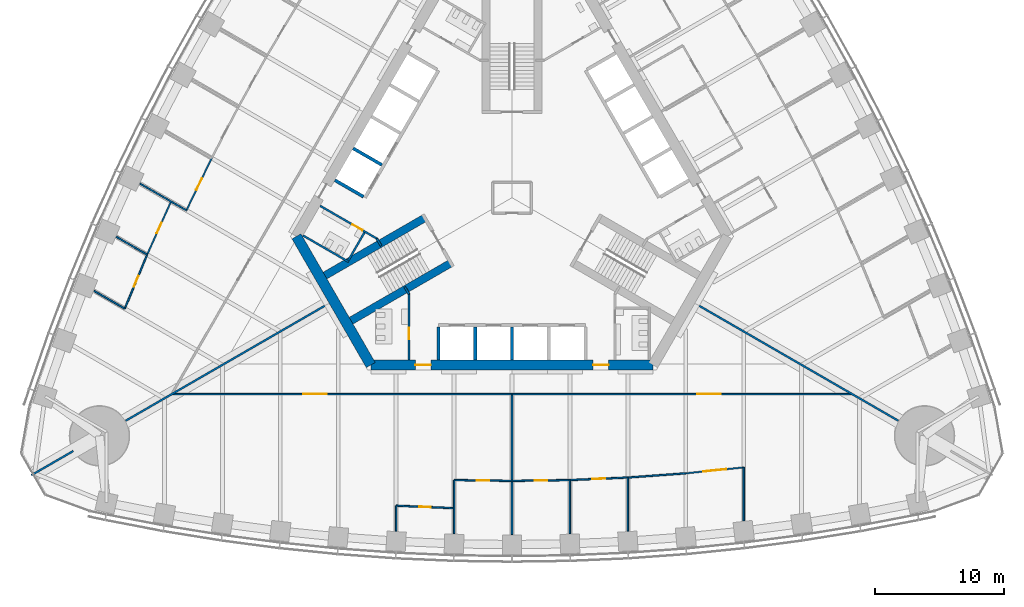
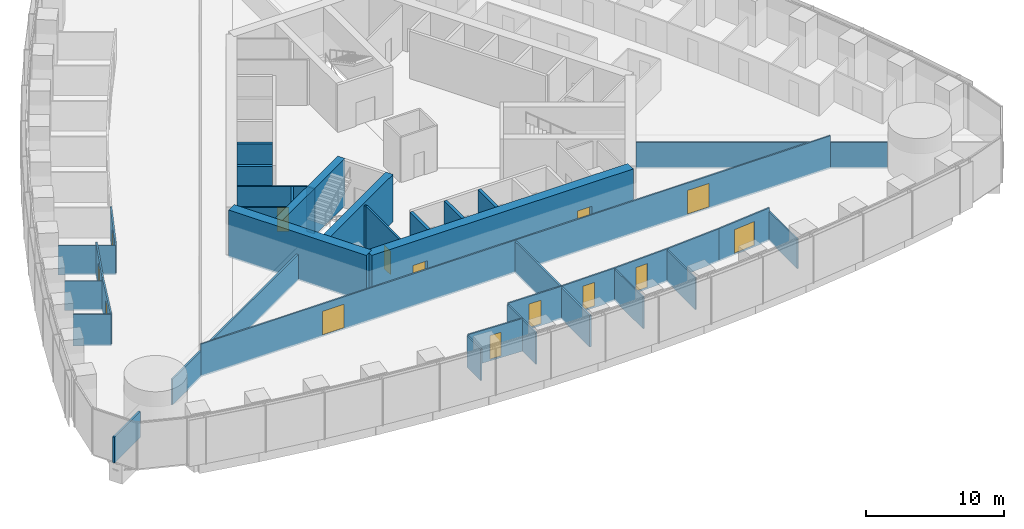
# One storey, part 10 of 18: 37 walls, 14 doors, 14 openings.
"""IFC4 building model written with IfcOpenShell, lengths in metres."""

import ifcopenshell
import ifcopenshell.guid

model = None  # the IFC model being written
_history = None  # IfcOwnerHistory: only IFC2X3 demands one
_inside = {}  # id of a spatial element -> (the spatial element, [elements in it])
_under = {}  # id of a project, library or spatial element -> (it, [spatial elements below it])
_declared = {}  # id of a project -> (the project, [libraries it declares])
_typed = {}  # id of a type object -> (the type object, [elements of that type])
_made_of = {}  # id of a material, layer set ... -> (it, [elements and type objects made of it])


def new_model(schema):
    """Start an empty IFC model of exactly this schema.

    Asked for "IFC4X3", IfcOpenShell would pick the latest addendum, in which some entities
    have other attributes; the version numbers below select the first issue.
    IFC2X3 requires an IfcOwnerHistory on every rooted entity: one is made here for all.
    """
    global model, _history
    if schema == "IFC4X3":
        model = ifcopenshell.file(schema_version=(4, 3, 0, 0))
    else:
        model = ifcopenshell.file(schema=schema)
    _inside.clear()
    _under.clear()
    _declared.clear()
    _typed.clear()
    _made_of.clear()
    _history = None
    if model.schema == "IFC2X3":
        org = make("IfcOrganization", Name="unknown")
        user = make(
            "IfcPersonAndOrganization",
            ThePerson=make("IfcPerson", FamilyName="unknown"),
            TheOrganization=org,
        )
        app = make(
            "IfcApplication",
            ApplicationDeveloper=org,
            Version="unknown",
            ApplicationFullName="unknown",
            ApplicationIdentifier="unknown",
        )
        _history = make(
            "IfcOwnerHistory",
            OwningUser=user,
            OwningApplication=app,
            ChangeAction="ADDED",
            CreationDate=0,
        )
    return model


def make(cls, **values):
    """One entity of the class cls with the attributes given. An attribute that is None is left unset."""
    return model.create_entity(
        cls, **{name: value for name, value in values.items() if value is not None}
    )


def rooted(cls, **values):
    """An entity with a GlobalId (a new one), such as an element, a storey or a relation."""
    return make(cls, GlobalId=ifcopenshell.guid.new(), OwnerHistory=_history, **values)


def si_unit(unit_type, name, prefix=None):
    """IfcSIUnit, for example si_unit("LENGTHUNIT", "METRE", prefix="MILLI")."""
    return make("IfcSIUnit", UnitType=unit_type, Prefix=prefix, Name=name)


def assignment(units):
    """IfcUnitAssignment: the units of a project."""
    return None if units is None else make("IfcUnitAssignment", Units=units)


def point(xyz):
    """IfcCartesianPoint."""
    return None if xyz is None else make("IfcCartesianPoint", Coordinates=xyz)


def direction(xyz):
    """IfcDirection."""
    return None if xyz is None else make("IfcDirection", DirectionRatios=xyz)


def frame(location, z_axis=None, x_axis=None):
    """IfcAxis2Placement3D, a coordinate frame: its origin and axes. An axis left out is left unset."""
    return make(
        "IfcAxis2Placement3D",
        Location=point(location),
        Axis=direction(z_axis),
        RefDirection=direction(x_axis),
    )


def frame_2d(location, x_axis=None):
    """IfcAxis2Placement2D, a coordinate frame in the plane: its origin and x axis."""
    return make(
        "IfcAxis2Placement2D", Location=point(location), RefDirection=direction(x_axis)
    )


def origin():
    """The frame at (0, 0, 0) with its axes left unset."""
    return frame((0.0, 0.0, 0.0))


def place(relative_to, where):
    """IfcLocalPlacement: puts the frame where relative to a parent placement (None: the world)."""
    return make(
        "IfcLocalPlacement", PlacementRelTo=relative_to, RelativePlacement=where
    )


def context(
    kind, dimensions, precision=None, world=None, true_north=None, identifier=None
):
    """IfcGeometricRepresentationContext, for example the 3D "Model" context."""
    return make(
        "IfcGeometricRepresentationContext",
        ContextIdentifier=identifier,
        ContextType=kind,
        CoordinateSpaceDimension=dimensions,
        Precision=precision,
        WorldCoordinateSystem=world,
        TrueNorth=true_north,
    )


def subcontext(parent, identifier, kind, view, scale=None):
    """IfcGeometricRepresentationSubContext, for example "Body" below "Model"."""
    return make(
        "IfcGeometricRepresentationSubContext",
        ContextIdentifier=identifier,
        ContextType=kind,
        ParentContext=parent,
        TargetScale=scale,
        TargetView=view,
    )


def project(units=None, contexts=None):
    """IfcProject with its units and contexts."""
    return rooted(
        "IfcProject",
        Name="project",
        RepresentationContexts=contexts,
        UnitsInContext=assignment(units),
    )


def spatial(cls, under=None, at=None, **own):
    """A site, building, storey or space (cls), placed at a placement, below another one or the project."""
    s = rooted(cls, ObjectPlacement=at, **own)
    if under is not None:
        _under.setdefault(under.id(), (under, []))[1].append(s)
    return s


def profile(cls, at=None, kind="AREA", **sizes):
    """A parametric profile (cls). Its sizes go by their IFC names, for example OverallWidth=200.0."""
    return make(cls, ProfileType=kind, Position=at, **sizes)


def rectangle(**sizes):
    """IfcRectangleProfileDef."""
    return profile("IfcRectangleProfileDef", **sizes)


def extrude(swept, where, along, depth):
    """IfcExtrudedAreaSolid: the profile swept, set in the frame where, extruded along a direction by depth."""
    return make(
        "IfcExtrudedAreaSolid",
        SweptArea=swept,
        Position=where,
        ExtrudedDirection=direction(along),
        Depth=depth,
    )


def shape(context_of_items, identifier, shape_type, items):
    """IfcShapeRepresentation: the items that make up one representation, for example the "Body"."""
    return make(
        "IfcShapeRepresentation",
        ContextOfItems=context_of_items,
        RepresentationIdentifier=identifier,
        RepresentationType=shape_type,
        Items=items,
    )


def material(Name=None, Category=None):
    """IfcMaterial."""
    return make("IfcMaterial", Name=Name, Category=Category)


def layer(
    of_material, thickness, ventilated=None, Name=None, Category=None, Priority=None
):
    """IfcMaterialLayer: one layer of a wall or slab, of a material (None: an air gap)."""
    return make(
        "IfcMaterialLayer",
        Material=of_material,
        LayerThickness=thickness,
        IsVentilated=ventilated,
        Name=Name,
        Category=Category,
        Priority=Priority,
    )


def layer_set(layers, Name=None):
    """IfcMaterialLayerSet."""
    return make("IfcMaterialLayerSet", MaterialLayers=layers, LayerSetName=Name)


def made_of(thing, what):
    """Note that an element or type object is made of a material, layer set ...; save() writes the relation."""
    if what is not None:
        _made_of.setdefault(what.id(), (what, []))[1].append(thing)
    return thing


def type_object(cls, material=None, **own):
    """A type object (cls), such as IfcWallType, which elements share."""
    return made_of(rooted(cls, **own), material)


def element(
    cls,
    number,
    at=None,
    inside=None,
    cuts=None,
    type_object=None,
    material=None,
    context=None,
    identifier="Body",
    shape_type=None,
    held_by="IfcProductDefinitionShape",
    body=None,
    shapes=None,
    **own,
):
    """One element of the class cls, such as IfcWall. Its Tag is "e" and its number.

    at: its placement. inside: the storey or other place that contains it. cuts: it is an
    opening in that element (IfcRelVoidsElement). A single representation is given by context,
    identifier, shape_type and body (its items); several are given by shapes. held_by: the class
    of the entity that holds the representations. save() writes the other relations.
    """
    e = rooted(cls, Tag="e%d" % number, ObjectPlacement=at, **own)
    if body is not None:
        shapes = [shape(context, identifier, shape_type, body)]
    if shapes is not None:
        e.Representation = make(held_by, Representations=shapes)
    if inside is not None:
        _inside.setdefault(inside.id(), (inside, []))[1].append(e)
    if cuts is not None:
        rooted(
            "IfcRelVoidsElement", RelatingBuildingElement=cuts, RelatedOpeningElement=e
        )
    if type_object is not None:
        _typed.setdefault(type_object.id(), (type_object, []))[1].append(e)
    return made_of(e, material)


def fill(opening, filler):
    """IfcRelFillsElement: the door or window that sits in an opening."""
    return rooted(
        "IfcRelFillsElement",
        RelatingOpeningElement=opening,
        RelatedBuildingElement=filler,
    )


def aggregate(whole, parts):
    """IfcRelAggregates: a whole, such as a stair, and the parts it consists of."""
    return rooted("IfcRelAggregates", RelatingObject=whole, RelatedObjects=parts)


def save(model, path):
    """Write the relations noted so far, then the file.

    IfcRelAggregates (storeys below a building ...), IfcRelContainedInSpatialStructure (elements
    in a storey), IfcRelDefinesByType, IfcRelAssociatesMaterial and IfcRelDeclares: one each for
    every whole, place, type object, material and project.
    """
    for whole, parts in _under.values():
        aggregate(whole, parts)
    for where, things in _inside.values():
        rooted(
            "IfcRelContainedInSpatialStructure",
            RelatedElements=things,
            RelatingStructure=where,
        )
    for kind, things in _typed.values():
        rooted("IfcRelDefinesByType", RelatedObjects=things, RelatingType=kind)
    for what, things in _made_of.values():
        rooted("IfcRelAssociatesMaterial", RelatedObjects=things, RelatingMaterial=what)
    for by, libraries in _declared.values():
        rooted("IfcRelDeclares", RelatingContext=by, RelatedDefinitions=libraries)
    model.write(path)


model = new_model("IFC4")

# Units and contexts
model_context = context("Model", 3, precision=1e-05, world=origin(), true_north=direction((0.0, 1.0)))
body_context = subcontext(model_context, "Body", "Model", "MODEL_VIEW")
ifc_project = project(units=[si_unit("LENGTHUNIT", "METRE"), si_unit("AREAUNIT", "SQUARE_METRE"), si_unit("VOLUMEUNIT", "CUBIC_METRE"), si_unit("PLANEANGLEUNIT", "RADIAN"), si_unit("MASSUNIT", "GRAM", prefix="KILO")], contexts=[model_context])

# Site, building, storey
site_placement = place(None, origin())
site = spatial("IfcSite", under=ifc_project, at=site_placement, CompositionType="ELEMENT")
building_placement = place(site_placement, origin())
building = spatial("IfcBuilding", under=site, at=building_placement, Name="Trefoil Bronze Tower", CompositionType="ELEMENT")
storey_placement = place(building_placement, frame((0.0, 0.0, 58.5)))
storey = spatial("IfcBuildingStorey", under=building, at=storey_placement, Name="L13", CompositionType="ELEMENT", Elevation=58.5)

# Wall, openings, doors
ifc_material_1 = material(Name="Concrete B80", Category="concrete")
ifc_layer_1 = layer(ifc_material_1, 0.800048828125)
ifc_layer_set_1 = layer_set([ifc_layer_1], Name="Core wall 800")
wall_type_1 = type_object("IfcWallType", Name="Core wall 800", PredefinedType="SHEAR", material=ifc_layer_set_1)
wall_1_placement = place(storey_placement, frame((-10.9697265625, -13.0, 0.0), z_axis=(0.0, 0.0, 1.0), x_axis=(1.0, 0.0, 0.0)))
wall_1 = element("IfcWall", 1, at=wall_1_placement, inside=storey, type_object=wall_type_1, Name="Core long wall 1 L13", PredefinedType="SHEAR", context=body_context, shape_type="SweptSolid", body=[
    extrude(rectangle(XDim=21.939453125, YDim=0.800048828125, at=frame_2d((10.9697265625, 0.0))), origin(), (0.0, 0.0, 1.0), 4.199951171875),
])
opening_1_placement = place(wall_1_placement, frame((17.269775390625, 0.0, 0.0)))
opening_1 = element("IfcOpeningElement", 2, at=opening_1_placement, cuts=wall_1, Name="Opening D2", PredefinedType="OPENING", context=body_context, shape_type="SweptSolid", body=[
    extrude(rectangle(XDim=1.199951171875, YDim=2.10009765625, at=frame_2d((0.60009765625, 1.050048828125))), frame((0.0, 0.409912109375, 0.0), z_axis=(0.0, -1.0, 0.0), x_axis=(1.0, 0.0, 0.0)), (0.0, 0.0, 1.0), 0.820068359375),
])
opening_2_placement = place(wall_1_placement, frame((3.4697265625, 0.0, 0.0)))
opening_2 = element("IfcOpeningElement", 3, at=opening_2_placement, cuts=wall_1, Name="Opening D2", PredefinedType="OPENING", context=body_context, shape_type="SweptSolid", body=[
    extrude(rectangle(XDim=1.199951171875, YDim=2.10009765625, at=frame_2d((0.60009765625, 1.050048828125))), frame((0.0, 0.409912109375, 0.0), z_axis=(0.0, -1.0, 0.0), x_axis=(1.0, 0.0, 0.0)), (0.0, 0.0, 1.0), 0.820068359375),
])
ifc_material_2 = material(Name="Steel door", Category="steel")
door_type_1 = type_object("IfcDoorType", Name="Lobby door 1200", OperationType="SINGLE_SWING_RIGHT", PredefinedType="DOOR", material=ifc_material_2)
door_1_placement = place(opening_1_placement, origin())
door_1 = element("IfcDoor", 4, at=door_1_placement, inside=storey, type_object=door_type_1, Name="Lobby door F1+ L13", OperationType="SINGLE_SWING_RIGHT", OverallHeight=2.10009765625, OverallWidth=1.199951171875, PredefinedType="DOOR", context=body_context, shape_type="SweptSolid", body=[
    extrude(rectangle(XDim=1.199951171875, YDim=2.10009765625, at=frame_2d((0.60009765625, 1.050048828125))), frame((0.0, 0.02490234375, 0.0), z_axis=(0.0, -1.0, 0.0), x_axis=(1.0, 0.0, 0.0)), (0.0, 0.0, 1.0), 0.050048828125),
])
fill(opening_1, door_1)
door_2_placement = place(opening_2_placement, origin())
door_2 = element("IfcDoor", 5, at=door_2_placement, inside=storey, type_object=door_type_1, Name="Lobby door F1- L13", OperationType="SINGLE_SWING_LEFT", OverallHeight=2.10009765625, OverallWidth=1.199951171875, PredefinedType="DOOR", context=body_context, shape_type="SweptSolid", body=[
    extrude(rectangle(XDim=1.199951171875, YDim=2.10009765625, at=frame_2d((0.60009765625, 1.050048828125))), frame((0.0, 0.02490234375, 0.0), z_axis=(0.0, -1.0, 0.0), x_axis=(1.0, 0.0, 0.0)), (0.0, 0.0, 1.0), 0.050048828125),
])
fill(opening_2, door_2)

# Wall
wall_2_placement = place(storey_placement, frame((-16.7431640625, -3.0, 0.0), z_axis=(0.0, 0.0, 1.0), x_axis=(0.499995765644, -0.866027848477, 0.0)))
element("IfcWall", 6, at=wall_2_placement, inside=storey, type_object=wall_type_1, Name="Core short wall 3 L13", PredefinedType="SHEAR", context=body_context, shape_type="SweptSolid", body=[
    extrude(rectangle(XDim=11.546875, YDim=0.800048828125, at=frame_2d((5.7734375, 0.0))), origin(), (0.0, 0.0, 1.0), 4.199951171875),
])

# Wall, openings, doors
ifc_material_3 = material(Name="Glazed partition", Category="glass")
ifc_layer_2 = layer(ifc_material_3, 0.1201171875)
ifc_layer_set_2 = layer_set([ifc_layer_2], Name="Glazed partition 120")
wall_type_2 = type_object("IfcWallType", Name="Glazed partition 120", PredefinedType="PARTITIONING", material=ifc_layer_set_2)
wall_3_placement = place(storey_placement, frame((-26.398193359375, -15.260009765625, 0.0), z_axis=(0.0, 0.0, 1.0), x_axis=(1.0, 0.0, 0.0)))
wall_3 = element("IfcWall", 7, at=wall_3_placement, inside=storey, type_object=wall_type_2, Name="Partition F1 L13", PredefinedType="PARTITIONING", context=body_context, shape_type="SweptSolid", body=[
    extrude(rectangle(XDim=52.79638671875, YDim=0.1201171875, at=frame_2d((26.398193359375, 0.0))), origin(), (0.0, 0.0, 1.0), 2.89990234375),
])
opening_3_placement = place(wall_3_placement, frame((10.199951171875, 0.0, 0.14990234375)))
opening_3 = element("IfcOpeningElement", 8, at=opening_3_placement, cuts=wall_3, Name="Opening D10", PredefinedType="OPENING", context=body_context, shape_type="SweptSolid", body=[
    extrude(rectangle(XDim=1.800048828125, YDim=2.10009765625, at=frame_2d((0.89990234375, 1.050048828125))), frame((0.0, 0.070068359375, 0.0), z_axis=(0.0, -1.0, 0.0), x_axis=(1.0, 0.0, 0.0)), (0.0, 0.0, 1.0), 0.14013671875),
])
opening_4_placement = place(wall_3_placement, frame((40.800048828125, 0.0, 0.14990234375)))
opening_4 = element("IfcOpeningElement", 9, at=opening_4_placement, cuts=wall_3, Name="Opening D10", PredefinedType="OPENING", context=body_context, shape_type="SweptSolid", body=[
    extrude(rectangle(XDim=1.800048828125, YDim=2.10009765625, at=frame_2d((0.89990234375, 1.050048828125))), frame((0.0, 0.070068359375, 0.0), z_axis=(0.0, -1.0, 0.0), x_axis=(1.0, 0.0, 0.0)), (0.0, 0.0, 1.0), 0.14013671875),
])
ifc_material_4 = material(Name="Timber door", Category="wood")
door_type_2 = type_object("IfcDoorType", Name="Double door 1800", OperationType="DOUBLE_DOOR_SINGLE_SWING", PredefinedType="DOOR", material=ifc_material_4)
door_3_placement = place(opening_3_placement, origin())
door_3 = element("IfcDoor", 10, at=door_3_placement, inside=storey, type_object=door_type_2, Name="Corridor door F1 L13", OperationType="DOUBLE_DOOR_SINGLE_SWING", OverallHeight=2.10009765625, OverallWidth=1.800048828125, PredefinedType="DOOR", context=body_context, shape_type="SweptSolid", body=[
    extrude(rectangle(XDim=1.800048828125, YDim=2.10009765625, at=frame_2d((0.89990234375, 1.050048828125))), frame((0.0, 0.02490234375, 0.0), z_axis=(0.0, -1.0, 0.0), x_axis=(1.0, 0.0, 0.0)), (0.0, 0.0, 1.0), 0.050048828125),
])
fill(opening_3, door_3)
door_4_placement = place(opening_4_placement, origin())
door_4 = element("IfcDoor", 11, at=door_4_placement, inside=storey, type_object=door_type_2, Name="Corridor door F1 L13", OperationType="DOUBLE_DOOR_SINGLE_SWING", OverallHeight=2.10009765625, OverallWidth=1.800048828125, PredefinedType="DOOR", context=body_context, shape_type="SweptSolid", body=[
    extrude(rectangle(XDim=1.800048828125, YDim=2.10009765625, at=frame_2d((0.89990234375, 1.050048828125))), frame((0.0, 0.02490234375, 0.0), z_axis=(0.0, -1.0, 0.0), x_axis=(1.0, 0.0, 0.0)), (0.0, 0.0, 1.0), 0.050048828125),
])
fill(opening_4, door_4)

# Wall, opening, door
wall_4_placement = place(storey_placement, frame((0.0, -21.998779296875, 0.0), z_axis=(0.0, 0.0, 1.0), x_axis=(0.999894311967, 0.014538393859, 0.0)))
wall_4 = element("IfcWall", 12, at=wall_4_placement, inside=storey, type_object=wall_type_2, Name="Partition F1 L13", PredefinedType="PARTITIONING", context=body_context, shape_type="SweptSolid", body=[
    extrude(rectangle(XDim=4.50048828125, YDim=0.1201171875, at=frame_2d((2.250244140625, 0.0))), origin(), (0.0, 0.0, 1.0), 2.89990234375),
])
opening_5_placement = place(wall_4_placement, frame((1.75, 0.0, 0.14990234375)))
opening_5 = element("IfcOpeningElement", 13, at=opening_5_placement, cuts=wall_4, Name="Opening D9", PredefinedType="OPENING", context=body_context, shape_type="SweptSolid", body=[
    extrude(rectangle(XDim=1.0, YDim=2.10009765625, at=frame_2d((0.5, 1.050048828125))), frame((0.0, 0.070068359375, 0.0), z_axis=(0.0, -1.0, 0.0), x_axis=(1.0, 0.0, 0.0)), (0.0, 0.0, 1.0), 0.14013671875),
])
ifc_material_5 = material(Name="Glazed timber door", Category="wood")
door_type_3 = type_object("IfcDoorType", Name="Meeting room door 1000", OperationType="SINGLE_SWING_LEFT", PredefinedType="DOOR", material=ifc_material_5)
door_5_placement = place(opening_5_placement, frame((1.0, 0.0, 0.0), z_axis=(0.0, 0.0, 1.0), x_axis=(-1.0, 0.0, 0.0)))
door_5 = element("IfcDoor", 14, at=door_5_placement, inside=storey, type_object=door_type_3, Name="Meeting room door F1 L13", OperationType="SINGLE_SWING_RIGHT", OverallHeight=2.10009765625, OverallWidth=1.0, PredefinedType="DOOR", context=body_context, shape_type="SweptSolid", body=[
    extrude(rectangle(XDim=1.0, YDim=2.10009765625, at=frame_2d((0.5, 1.050048828125))), frame((0.0, 0.02490234375, 0.0), z_axis=(0.0, -1.0, 0.0), x_axis=(1.0, 0.0, 0.0)), (0.0, 0.0, 1.0), 0.050048828125),
])
fill(opening_5, door_5)

wall_5_placement = place(storey_placement, frame((13.5, -21.409912109375, 0.0), z_axis=(0.0, 0.0, 1.0), x_axis=(0.994833141332, 0.101523499286, 0.0)))
wall_5 = element("IfcWall", 15, at=wall_5_placement, inside=storey, type_object=wall_type_2, Name="Partition F1 L13", PredefinedType="PARTITIONING", context=body_context, shape_type="SweptSolid", body=[
    extrude(rectangle(XDim=4.5234375, YDim=0.1201171875, at=frame_2d((2.26171875, 0.0))), origin(), (0.0, 0.0, 1.0), 2.89990234375),
])
opening_6_placement = place(wall_5_placement, frame((1.35009765625, 0.0, 0.14990234375)))
opening_6 = element("IfcOpeningElement", 16, at=opening_6_placement, cuts=wall_5, Name="Opening D10", PredefinedType="OPENING", context=body_context, shape_type="SweptSolid", body=[
    extrude(rectangle(XDim=1.800048828125, YDim=2.10009765625, at=frame_2d((0.89990234375, 1.050048828125))), frame((0.0, 0.070068359375, 0.0), z_axis=(0.0, -1.0, 0.0), x_axis=(1.0, 0.0, 0.0)), (0.0, 0.0, 1.0), 0.14013671875),
])
door_6_placement = place(opening_6_placement, frame((1.800048828125, 0.0, 0.0), z_axis=(0.0, 0.0, 1.0), x_axis=(-1.0, 0.0, 0.0)))
door_6 = element("IfcDoor", 17, at=door_6_placement, inside=storey, type_object=door_type_2, Name="Kitchen and breakout door F1 L13", OperationType="DOUBLE_DOOR_SINGLE_SWING", OverallHeight=2.10009765625, OverallWidth=1.800048828125, PredefinedType="DOOR", context=body_context, shape_type="SweptSolid", body=[
    extrude(rectangle(XDim=1.800048828125, YDim=2.10009765625, at=frame_2d((0.89990234375, 1.050048828125))), frame((0.0, 0.02490234375, 0.0), z_axis=(0.0, -1.0, 0.0), x_axis=(1.0, 0.0, 0.0)), (0.0, 0.0, 1.0), 0.050048828125),
])
fill(opening_6, door_6)

wall_6_placement = place(storey_placement, frame((4.5, -21.933349609375, 0.0), z_axis=(0.0, 0.0, 1.0), x_axis=(0.999052370647, 0.043524254212, 0.0)))
wall_6 = element("IfcWall", 18, at=wall_6_placement, inside=storey, type_object=wall_type_2, Name="Partition F1 L13", PredefinedType="PARTITIONING", context=body_context, shape_type="SweptSolid", body=[
    extrude(rectangle(XDim=4.504150390625, YDim=0.1201171875, at=frame_2d((2.251953125, 0.0))), origin(), (0.0, 0.0, 1.0), 2.89990234375),
])
opening_7_placement = place(wall_6_placement, frame((1.75, 0.0, 0.14990234375)))
opening_7 = element("IfcOpeningElement", 19, at=opening_7_placement, cuts=wall_6, Name="Opening D9", PredefinedType="OPENING", context=body_context, shape_type="SweptSolid", body=[
    extrude(rectangle(XDim=1.0, YDim=2.10009765625, at=frame_2d((0.5, 1.050048828125))), frame((0.0, 0.070068359375, 0.0), z_axis=(0.0, -1.0, 0.0), x_axis=(1.0, 0.0, 0.0)), (0.0, 0.0, 1.0), 0.14013671875),
])
door_7_placement = place(opening_7_placement, frame((1.0, 0.0, 0.0), z_axis=(0.0, 0.0, 1.0), x_axis=(-1.0, 0.0, 0.0)))
door_7 = element("IfcDoor", 20, at=door_7_placement, inside=storey, type_object=door_type_3, Name="Meeting room door F1 L13", OperationType="SINGLE_SWING_RIGHT", OverallHeight=2.10009765625, OverallWidth=1.0, PredefinedType="DOOR", context=body_context, shape_type="SweptSolid", body=[
    extrude(rectangle(XDim=1.0, YDim=2.10009765625, at=frame_2d((0.5, 1.050048828125))), frame((0.0, 0.02490234375, 0.0), z_axis=(0.0, -1.0, 0.0), x_axis=(1.0, 0.0, 0.0)), (0.0, 0.0, 1.0), 0.050048828125),
])
fill(opening_7, door_7)

# Wall
wall_7_placement = place(storey_placement, frame((9.0, -21.7373046875, 0.0), z_axis=(0.0, 0.0, 1.0), x_axis=(0.997363894896, 0.072562119306, 0.0)))
element("IfcWall", 21, at=wall_7_placement, inside=storey, type_object=wall_type_2, Name="Partition F1 L13", PredefinedType="PARTITIONING", context=body_context, shape_type="SweptSolid", body=[
    extrude(rectangle(XDim=4.511962890625, YDim=0.1201171875, at=frame_2d((2.255859375, 0.0))), origin(), (0.0, 0.0, 1.0), 2.89990234375),
])

# Wall, opening, door
wall_8_placement = place(storey_placement, frame((-4.5, -21.933349609375, 0.0), z_axis=(0.0, 0.0, 1.0), x_axis=(0.999894311967, -0.014538393859, 0.0)))
wall_8 = element("IfcWall", 22, at=wall_8_placement, inside=storey, type_object=wall_type_2, Name="Partition F1 L13", PredefinedType="PARTITIONING", context=body_context, shape_type="SweptSolid", body=[
    extrude(rectangle(XDim=4.50048828125, YDim=0.1201171875, at=frame_2d((2.250244140625, 0.0))), origin(), (0.0, 0.0, 1.0), 2.89990234375),
])
opening_8_placement = place(wall_8_placement, frame((1.75, 0.0, 0.14990234375)))
opening_8 = element("IfcOpeningElement", 23, at=opening_8_placement, cuts=wall_8, Name="Opening D9", PredefinedType="OPENING", context=body_context, shape_type="SweptSolid", body=[
    extrude(rectangle(XDim=1.0, YDim=2.10009765625, at=frame_2d((0.5, 1.050048828125))), frame((0.0, 0.070068359375, 0.0), z_axis=(0.0, -1.0, 0.0), x_axis=(1.0, 0.0, 0.0)), (0.0, 0.0, 1.0), 0.14013671875),
])
door_8_placement = place(opening_8_placement, frame((1.0, 0.0, 0.0), z_axis=(0.0, 0.0, 1.0), x_axis=(-1.0, 0.0, 0.0)))
door_8 = element("IfcDoor", 24, at=door_8_placement, inside=storey, type_object=door_type_3, Name="Meeting room door F1 L13", OperationType="SINGLE_SWING_RIGHT", OverallHeight=2.10009765625, OverallWidth=1.0, PredefinedType="DOOR", context=body_context, shape_type="SweptSolid", body=[
    extrude(rectangle(XDim=1.0, YDim=2.10009765625, at=frame_2d((0.5, 1.050048828125))), frame((0.0, 0.02490234375, 0.0), z_axis=(0.0, -1.0, 0.0), x_axis=(1.0, 0.0, 0.0)), (0.0, 0.0, 1.0), 0.050048828125),
])
fill(opening_8, door_8)

wall_9_placement = place(storey_placement, frame((-9.0, -23.92236328125, 0.0), z_axis=(0.0, 0.0, 1.0), x_axis=(0.999052370647, -0.043524254212, 0.0)))
wall_9 = element("IfcWall", 25, at=wall_9_placement, inside=storey, type_object=wall_type_2, Name="Partition F1 L13", PredefinedType="PARTITIONING", context=body_context, shape_type="SweptSolid", body=[
    extrude(rectangle(XDim=4.504150390625, YDim=0.1201171875, at=frame_2d((2.251953125, 0.0))), origin(), (0.0, 0.0, 1.0), 2.89990234375),
])
opening_9_placement = place(wall_9_placement, frame((1.800048828125, 0.0, 0.14990234375)))
opening_9 = element("IfcOpeningElement", 26, at=opening_9_placement, cuts=wall_9, Name="Opening D8", PredefinedType="OPENING", context=body_context, shape_type="SweptSolid", body=[
    extrude(rectangle(XDim=0.89990234375, YDim=2.10009765625, at=frame_2d((0.449951171875, 1.050048828125))), frame((0.0, 0.070068359375, 0.0), z_axis=(0.0, -1.0, 0.0), x_axis=(1.0, 0.0, 0.0)), (0.0, 0.0, 1.0), 0.14013671875),
])
ifc_material_6 = material(Name="Timber door", Category="wood")
door_type_4 = type_object("IfcDoorType", Name="Office door 900", OperationType="SINGLE_SWING_LEFT", PredefinedType="DOOR", material=ifc_material_6)
door_9_placement = place(opening_9_placement, frame((0.89990234375, 0.0, 0.0), z_axis=(0.0, 0.0, 1.0), x_axis=(-1.0, 0.0, 0.0)))
door_9 = element("IfcDoor", 27, at=door_9_placement, inside=storey, type_object=door_type_4, Name="Comms room door F1 L13", OperationType="SINGLE_SWING_RIGHT", OverallHeight=2.10009765625, OverallWidth=0.89990234375, PredefinedType="DOOR", context=body_context, shape_type="SweptSolid", body=[
    extrude(rectangle(XDim=0.89990234375, YDim=2.10009765625, at=frame_2d((0.449951171875, 1.050048828125))), frame((0.0, 0.02490234375, 0.0), z_axis=(0.0, -1.0, 0.0), x_axis=(1.0, 0.0, 0.0)), (0.0, 0.0, 1.0), 0.050048828125),
])
fill(opening_9, door_9)

# Walls
wall_10_placement = place(storey_placement, frame((18.0, -20.95068359375, 0.0), z_axis=(0.0, 0.0, 1.0), x_axis=(0.0, -1.0, 0.0)))
element("IfcWall", 28, at=wall_10_placement, inside=storey, type_object=wall_type_2, Name="Partition F1 L13", PredefinedType="PARTITIONING", context=body_context, shape_type="SweptSolid", body=[
    extrude(rectangle(XDim=4.1591796875, YDim=0.1201171875, at=frame_2d((2.07958984375, 0.0))), origin(), (0.0, 0.0, 1.0), 2.60009765625),
])
wall_11_placement = place(storey_placement, frame((4.5, -21.933349609375, 0.0), z_axis=(0.0, 0.0, 1.0), x_axis=(0.0, -1.0, 0.0)))
element("IfcWall", 29, at=wall_11_placement, inside=storey, type_object=wall_type_2, Name="Partition F1 L13", PredefinedType="PARTITIONING", context=body_context, shape_type="SweptSolid", body=[
    extrude(rectangle(XDim=4.16943359375, YDim=0.1201171875, at=frame_2d((2.084716796875, 0.0))), origin(), (0.0, 0.0, 1.0), 2.800048828125),
])
wall_12_placement = place(storey_placement, frame((9.0, -21.7373046875, 0.0), z_axis=(0.0, 0.0, 1.0), x_axis=(0.0, -1.0, 0.0)))
element("IfcWall", 30, at=wall_12_placement, inside=storey, type_object=wall_type_2, Name="Partition F1 L13", PredefinedType="PARTITIONING", context=body_context, shape_type="SweptSolid", body=[
    extrude(rectangle(XDim=4.16748046875, YDim=0.1201171875, at=frame_2d((2.083740234375, 0.0))), origin(), (0.0, 0.0, 1.0), 2.800048828125),
])
wall_13_placement = place(storey_placement, frame((-4.5, -21.933349609375, 0.0), z_axis=(0.0, 0.0, 1.0), x_axis=(0.0, -1.0, 0.0)))
element("IfcWall", 31, at=wall_13_placement, inside=storey, type_object=wall_type_2, Name="Partition F1 L13", PredefinedType="PARTITIONING", context=body_context, shape_type="SweptSolid", body=[
    extrude(rectangle(XDim=4.16943359375, YDim=0.1201171875, at=frame_2d((2.084716796875, 0.0))), origin(), (0.0, 0.0, 1.0), 2.800048828125),
])
wall_14_placement = place(storey_placement, frame((-9.0, -23.92236328125, 0.0), z_axis=(0.0, 0.0, 1.0), x_axis=(0.0, -1.0, 0.0)))
element("IfcWall", 32, at=wall_14_placement, inside=storey, type_object=wall_type_2, Name="Partition F1 L13", PredefinedType="PARTITIONING", context=body_context, shape_type="SweptSolid", body=[
    extrude(rectangle(XDim=1.982421875, YDim=0.1201171875, at=frame_2d((0.9912109375, 0.0))), origin(), (0.0, 0.0, 1.0), 2.800048828125),
])

# Wall, opening, door
wall_15_placement = place(storey_placement, frame((-26.48681640625, -0.29638671875, 0.0), z_axis=(0.0, 0.0, 1.0), x_axis=(-0.409451055745, -0.912332084796, 0.0)))
wall_15 = element("IfcWall", 33, at=wall_15_placement, inside=storey, type_object=wall_type_2, Name="Partition F3 L13", PredefinedType="PARTITIONING", context=body_context, shape_type="SweptSolid", body=[
    extrude(rectangle(XDim=4.523193359375, YDim=0.1201171875, at=frame_2d((2.26171875, 0.0))), origin(), (0.0, 0.0, 1.0), 2.89990234375),
])
opening_10_placement = place(wall_15_placement, frame((1.800048828125, 0.0, 0.14990234375)))
opening_10 = element("IfcOpeningElement", 34, at=opening_10_placement, cuts=wall_15, Name="Opening D8", PredefinedType="OPENING", context=body_context, shape_type="SweptSolid", body=[
    extrude(rectangle(XDim=0.89990234375, YDim=2.10009765625, at=frame_2d((0.449951171875, 1.050048828125))), frame((0.0, 0.070068359375, 0.0), z_axis=(0.0, -1.0, 0.0), x_axis=(1.0, 0.0, 0.0)), (0.0, 0.0, 1.0), 0.14013671875),
])
door_10_placement = place(opening_10_placement, frame((0.89990234375, 0.0, 0.0), z_axis=(0.0, 0.0, 1.0), x_axis=(-1.0, 0.0, 0.0)))
door_10 = element("IfcDoor", 35, at=door_10_placement, inside=storey, type_object=door_type_4, Name="Pantry door F3 L13", OperationType="SINGLE_SWING_RIGHT", OverallHeight=2.10009765625, OverallWidth=0.89990234375, PredefinedType="DOOR", context=body_context, shape_type="SweptSolid", body=[
    extrude(rectangle(XDim=0.89990234375, YDim=2.10009765625, at=frame_2d((0.449951171875, 1.050048828125))), frame((0.0, 0.02490234375, 0.0), z_axis=(0.0, -1.0, 0.0), x_axis=(1.0, 0.0, 0.0)), (0.0, 0.0, 1.0), 0.050048828125),
])
fill(opening_10, door_10)

wall_16_placement = place(storey_placement, frame((-28.3388671875, -4.423095703125, 0.0), z_axis=(0.0, 0.0, 1.0), x_axis=(-0.382639984525, -0.923897527999, 0.0)))
wall_16 = element("IfcWall", 36, at=wall_16_placement, inside=storey, type_object=wall_type_2, Name="Partition F3 L13", PredefinedType="PARTITIONING", context=body_context, shape_type="SweptSolid", body=[
    extrude(rectangle(XDim=4.5390625, YDim=0.1201171875, at=frame_2d((2.26953125, 0.0))), origin(), (0.0, 0.0, 1.0), 2.89990234375),
])
opening_11_placement = place(wall_16_placement, frame((1.800048828125, 0.0, 0.14990234375)))
opening_11 = element("IfcOpeningElement", 37, at=opening_11_placement, cuts=wall_16, Name="Opening D8", PredefinedType="OPENING", context=body_context, shape_type="SweptSolid", body=[
    extrude(rectangle(XDim=0.89990234375, YDim=2.10009765625, at=frame_2d((0.449951171875, 1.050048828125))), frame((0.0, 0.070068359375, 0.0), z_axis=(0.0, -1.0, 0.0), x_axis=(1.0, 0.0, 0.0)), (0.0, 0.0, 1.0), 0.14013671875),
])
door_11_placement = place(opening_11_placement, frame((0.89990234375, 0.0, 0.0), z_axis=(0.0, 0.0, 1.0), x_axis=(-1.0, 0.0, 0.0)))
door_11 = element("IfcDoor", 38, at=door_11_placement, inside=storey, type_object=door_type_4, Name="Pantry door F3 L13", OperationType="SINGLE_SWING_RIGHT", OverallHeight=2.10009765625, OverallWidth=0.89990234375, PredefinedType="DOOR", context=body_context, shape_type="SweptSolid", body=[
    extrude(rectangle(XDim=0.89990234375, YDim=2.10009765625, at=frame_2d((0.449951171875, 1.050048828125))), frame((0.0, 0.02490234375, 0.0), z_axis=(0.0, -1.0, 0.0), x_axis=(1.0, 0.0, 0.0)), (0.0, 0.0, 1.0), 0.050048828125),
])
fill(opening_11, door_11)

wall_17_placement = place(storey_placement, frame((-23.3251953125, 3.074462890625, 0.0), z_axis=(0.0, 0.0, 1.0), x_axis=(-0.435857917556, -0.900015486369, 0.0)))
wall_17 = element("IfcWall", 39, at=wall_17_placement, inside=storey, type_object=wall_type_2, Name="Partition F3 L13", PredefinedType="PARTITIONING", context=body_context, shape_type="SweptSolid", body=[
    extrude(rectangle(XDim=4.511962890625, YDim=0.1201171875, at=frame_2d((2.255859375, 0.0))), origin(), (0.0, 0.0, 1.0), 2.89990234375),
])
opening_12_placement = place(wall_17_placement, frame((1.75, 0.0, 0.14990234375)))
opening_12 = element("IfcOpeningElement", 40, at=opening_12_placement, cuts=wall_17, Name="Opening D9", PredefinedType="OPENING", context=body_context, shape_type="SweptSolid", body=[
    extrude(rectangle(XDim=1.0, YDim=2.10009765625, at=frame_2d((0.5, 1.050048828125))), frame((0.0, 0.070068359375, 0.0), z_axis=(0.0, -1.0, 0.0), x_axis=(1.0, 0.0, 0.0)), (0.0, 0.0, 1.0), 0.14013671875),
])
door_12_placement = place(opening_12_placement, frame((1.0, 0.0, 0.0), z_axis=(0.0, 0.0, 1.0), x_axis=(-1.0, 0.0, 0.0)))
door_12 = element("IfcDoor", 41, at=door_12_placement, inside=storey, type_object=door_type_3, Name="Meeting room door F3 L13", OperationType="SINGLE_SWING_RIGHT", OverallHeight=2.10009765625, OverallWidth=1.0, PredefinedType="DOOR", context=body_context, shape_type="SweptSolid", body=[
    extrude(rectangle(XDim=1.0, YDim=2.10009765625, at=frame_2d((0.5, 1.050048828125))), frame((0.0, 0.02490234375, 0.0), z_axis=(0.0, -1.0, 0.0), x_axis=(1.0, 0.0, 0.0)), (0.0, 0.0, 1.0), 0.050048828125),
])
fill(opening_12, door_12)

# Walls
wall_18_placement = place(storey_placement, frame((-25.291748046875, -0.986328125, 0.0), z_axis=(0.0, 0.0, 1.0), x_axis=(-0.866011781705, 0.500023593391, 0.0)))
element("IfcWall", 42, at=wall_18_placement, inside=storey, type_object=wall_type_2, Name="Partition F3 L13", PredefinedType="PARTITIONING", context=body_context, shape_type="SweptSolid", body=[
    extrude(rectangle(XDim=4.163818359375, YDim=0.1201171875, at=frame_2d((2.08203125, 0.0))), origin(), (0.0, 0.0, 1.0), 2.60009765625),
])
wall_19_placement = place(storey_placement, frame((-28.3388671875, -4.423095703125, 0.0), z_axis=(0.0, 0.0, 1.0), x_axis=(-0.866029066823, 0.499993655377, 0.0)))
element("IfcWall", 43, at=wall_19_placement, inside=storey, type_object=wall_type_2, Name="Partition F3 L13", PredefinedType="PARTITIONING", context=body_context, shape_type="SweptSolid", body=[
    extrude(rectangle(XDim=2.779296875, YDim=0.1201171875, at=frame_2d((1.3896484375, 0.0))), origin(), (0.0, 0.0, 1.0), 2.60009765625),
])
wall_20_placement = place(storey_placement, frame((-30.07568359375, -8.61669921875, 0.0), z_axis=(0.0, 0.0, 1.0), x_axis=(-0.866002324719, 0.500039971984, 0.0)))
element("IfcWall", 44, at=wall_20_placement, inside=storey, type_object=wall_type_2, Name="Partition F3 L13", PredefinedType="PARTITIONING", context=body_context, shape_type="SweptSolid", body=[
    extrude(rectangle(XDim=2.773193359375, YDim=0.1201171875, at=frame_2d((1.38671875, 0.0))), origin(), (0.0, 0.0, 1.0), 2.800048828125),
])

# Wall, opening, door
ifc_material_7 = material(Name="Gypsum board on steel studs", Category="steel")
ifc_layer_3 = layer(ifc_material_7, 0.14990234375)
ifc_layer_set_3 = layer_set([ifc_layer_3], Name="Partition 150")
wall_type_3 = type_object("IfcWallType", Name="Partition 150", PredefinedType="PARTITIONING", material=ifc_layer_set_3)
wall_21_placement = place(storey_placement, frame((-8.0, -7.5, 0.0), z_axis=(0.0, 0.0, 1.0), x_axis=(0.0, -1.0, 0.0)))
wall_21 = element("IfcWall", 45, at=wall_21_placement, inside=storey, type_object=wall_type_3, Name="Passage wall F1- L13", PredefinedType="PARTITIONING", context=body_context, shape_type="SweptSolid", body=[
    extrude(rectangle(XDim=5.10009765625, YDim=0.14990234375, at=frame_2d((2.550048828125, 0.0))), origin(), (0.0, 0.0, 1.0), 4.0),
])
opening_13_placement = place(wall_21_placement, frame((2.60009765625, 0.0, 0.0)))
opening_13 = element("IfcOpeningElement", 46, at=opening_13_placement, cuts=wall_21, Name="Opening D3", PredefinedType="OPENING", context=body_context, shape_type="SweptSolid", body=[
    extrude(rectangle(XDim=0.89990234375, YDim=2.10009765625, at=frame_2d((0.449951171875, 1.050048828125))), frame((0.0, 0.0849609375, 0.0), z_axis=(0.0, -1.0, 0.0), x_axis=(1.0, 0.0, 0.0)), (0.0, 0.0, 1.0), 0.169921875),
])
ifc_material_8 = material(Name="Timber door", Category="wood")
door_type_5 = type_object("IfcDoorType", Name="WC door 900", OperationType="SINGLE_SWING_LEFT", PredefinedType="DOOR", material=ifc_material_8)
door_13_placement = place(opening_13_placement, frame((0.89990234375, 0.0, 0.0), z_axis=(0.0, 0.0, 1.0), x_axis=(-1.0, 0.0, 0.0)))
door_13 = element("IfcDoor", 47, at=door_13_placement, inside=storey, type_object=door_type_5, Name="WC (women) door L13", OperationType="SINGLE_SWING_LEFT", OverallHeight=2.10009765625, OverallWidth=0.89990234375, PredefinedType="DOOR", context=body_context, shape_type="SweptSolid", body=[
    extrude(rectangle(XDim=0.89990234375, YDim=2.10009765625, at=frame_2d((0.449951171875, 1.050048828125))), frame((0.0, 0.02490234375, 0.0), z_axis=(0.0, -1.0, 0.0), x_axis=(1.0, 0.0, 0.0)), (0.0, 0.0, 1.0), 0.050048828125),
])
fill(opening_13, door_13)

wall_22_placement = place(storey_placement, frame((-10.4951171875, -3.17822265625, 0.0), z_axis=(0.0, 0.0, 1.0), x_axis=(-0.86602216432, 0.500005610874, 0.0)))
wall_22 = element("IfcWall", 48, at=wall_22_placement, inside=storey, type_object=wall_type_3, Name="Passage wall F3+ L13", PredefinedType="PARTITIONING", context=body_context, shape_type="SweptSolid", body=[
    extrude(rectangle(XDim=5.10009765625, YDim=0.14990234375, at=frame_2d((2.550048828125, 0.0))), origin(), (0.0, 0.0, 1.0), 4.0),
])
opening_14_placement = place(wall_22_placement, frame((1.300048828125, 0.0, 0.0)))
opening_14 = element("IfcOpeningElement", 49, at=opening_14_placement, cuts=wall_22, Name="Opening D3", PredefinedType="OPENING", context=body_context, shape_type="SweptSolid", body=[
    extrude(rectangle(XDim=0.89990234375, YDim=2.10009765625, at=frame_2d((0.449951171875, 1.050048828125))), frame((0.0, 0.0849609375, 0.0), z_axis=(0.0, -1.0, 0.0), x_axis=(1.0, 0.0, 0.0)), (0.0, 0.0, 1.0), 0.169921875),
])
door_14_placement = place(opening_14_placement, origin())
door_14 = element("IfcDoor", 50, at=door_14_placement, inside=storey, type_object=door_type_5, Name="WC (men) door L13", OperationType="SINGLE_SWING_LEFT", OverallHeight=2.10009765625, OverallWidth=0.89990234375, PredefinedType="DOOR", context=body_context, shape_type="SweptSolid", body=[
    extrude(rectangle(XDim=0.89990234375, YDim=2.10009765625, at=frame_2d((0.449951171875, 1.050048828125))), frame((0.0, 0.02490234375, 0.0), z_axis=(0.0, -1.0, 0.0), x_axis=(1.0, 0.0, 0.0)), (0.0, 0.0, 1.0), 0.050048828125),
])
fill(opening_14, door_14)

# Walls
for number, where, z_axis, x_axis, name in (
    (51, (-10.4951171875, -3.17822265625, 0.0), (0.0, 0.0, 1.0), (0.499842556608, -0.866116284689, 0.0), "WC wall ST3-1 L13"),
    (52, (-8.0, -7.5, 0.0), (0.0, 0.0, 1.0), (-0.499842556608, 0.866116284689, 0.0), "WC wall ST3+1 L13"),
):
    element("IfcWall", number, at=place(storey_placement, frame(where, z_axis=z_axis, x_axis=x_axis)), inside=storey, type_object=wall_type_3, Name=name, PredefinedType="PARTITIONING", context=body_context, shape_type="SweptSolid", body=[
        extrude(rectangle(XDim=0.645263671875, YDim=0.14990234375, at=frame_2d((0.32275390625, 0.0))), origin(), (0.0, 0.0, 1.0), 4.0),
    ])
wall_23_placement = place(storey_placement, frame((-12.691162109375, -4.98193359375, 0.0), z_axis=(0.0, 0.0, 1.0), x_axis=(-0.8660249478, 0.500000789788, 0.0)))
element("IfcWall", 53, at=wall_23_placement, inside=storey, type_object=wall_type_3, Name="WC partition WC (men) L13", PredefinedType="PARTITIONING", context=body_context, shape_type="SweptSolid", body=[
    extrude(rectangle(XDim=4.10009765625, YDim=0.14990234375, at=frame_2d((2.050048828125, 0.0))), origin(), (0.0, 0.0, 1.0), 4.0),
])
wall_24_placement = place(storey_placement, frame((-11.463623046875, -2.70556640625, 0.0), z_axis=(0.0, 0.0, 1.0), x_axis=(-0.50001992892, -0.866013897511, 0.0)))
element("IfcWall", 54, at=wall_24_placement, inside=storey, type_object=wall_type_3, Name="WC partition WC (men) L13", PredefinedType="PARTITIONING", context=body_context, shape_type="SweptSolid", body=[
    extrude(rectangle(XDim=2.51025390625, YDim=0.14990234375, at=frame_2d((1.255126953125, 0.0))), origin(), (0.0, 0.0, 1.0), 4.0),
])
ifc_material_9 = material(Name="Gypsum board on steel studs", Category="steel")
ifc_layer_4 = layer(ifc_material_9, 0.14990234375)
ifc_layer_set_4 = layer_set([ifc_layer_4], Name="Party wall 150")
wall_type_4 = type_object("IfcWallType", Name="Party wall 150", PredefinedType="PARTITIONING", material=ifc_layer_set_4)
for number, where, z_axis, x_axis, name in (
    (55, (14.202880859375, -8.199951171875, 0.0), (0.0, 0.0, 1.0), (0.866024965723, -0.500000758745, 0.0), "Party wall K1 L13"),
    (56, (-14.202880859375, -8.199951171875, 0.0), (0.0, 0.0, 1.0), (-0.866024965723, -0.500000758745, 0.0), "Party wall K3 L13"),
):
    element("IfcWall", number, at=place(storey_placement, frame(where, z_axis=z_axis, x_axis=x_axis)), inside=storey, type_object=wall_type_4, Name=name, PredefinedType="PARTITIONING", context=body_context, shape_type="SweptSolid", body=[
        extrude(rectangle(XDim=18.25, YDim=0.14990234375, at=frame_2d((9.125, 0.0))), origin(), (0.0, 0.0, 1.0), 2.300048828125),
    ])
wall_25_placement = place(storey_placement, frame((-34.078125, -19.675048828125, 0.0), z_axis=(0.0, 0.0, 1.0), x_axis=(-0.866019247219, -0.500010663332, 0.0)))
element("IfcWall", 57, at=wall_25_placement, inside=storey, type_object=wall_type_4, Name="Party wall K3 L13", PredefinedType="PARTITIONING", context=body_context, shape_type="SweptSolid", body=[
    extrude(rectangle(XDim=3.76416015625, YDim=0.14990234375, at=frame_2d((1.882080078125, 0.0))), origin(), (0.0, 0.0, 1.0), 2.300048828125),
])
wall_26_placement = place(storey_placement, frame((0.0, -15.320068359375, 0.0), z_axis=(0.0, 0.0, 1.0), x_axis=(0.0, -1.0, 0.0)))
element("IfcWall", 58, at=wall_26_placement, inside=storey, type_object=wall_type_4, Name="Demising wall F1 L13", PredefinedType="PARTITIONING", context=body_context, shape_type="SweptSolid", body=[
    extrude(rectangle(XDim=10.8486328125, YDim=0.14990234375, at=frame_2d((5.42431640625, 0.0))), origin(), (0.0, 0.0, 1.0), 2.800048828125),
])
ifc_material_10 = material(Name="Concrete B80", Category="concrete")
ifc_layer_5 = layer(ifc_material_10, 0.25)
ifc_layer_set_5 = layer_set([ifc_layer_5], Name="Shaft wall 250")
wall_type_5 = type_object("IfcWallType", Name="Shaft wall 250", PredefinedType="SHEAR", material=ifc_layer_set_5)
for number, where, z_axis, x_axis, name in (
    (59, (-5.699951171875, -10.02490234375, 0.0), (0.0, 0.0, 1.0), (0.0, -1.0, 0.0), "Lift shaft side wall A0 L13"),
    (60, (-2.85009765625, -10.02490234375, 0.0), (0.0, 0.0, 1.0), (0.0, -1.0, 0.0), "Lift shaft side wall A1 L13"),
    (61, (0.0, -10.02490234375, 0.0), (0.0, 0.0, 1.0), (0.0, -1.0, 0.0), "Lift shaft side wall A2 L13"),
):
    element("IfcWall", number, at=place(storey_placement, frame(where, z_axis=z_axis, x_axis=x_axis)), inside=storey, type_object=wall_type_5, Name=name, PredefinedType="SHEAR", context=body_context, shape_type="SweptSolid", body=[
        extrude(rectangle(XDim=2.5751953125, YDim=0.25, at=frame_2d((1.28759765625, 0.0))), origin(), (0.0, 0.0, 1.0), 4.199951171875),
    ])
for number, where, z_axis, x_axis, name in (
    (62, (-10.10693359375, 2.54443359375, 0.0), (0.0, 0.0, 1.0), (-0.866046643894, 0.499963209246, 0.0), "Lift shaft side wall C3 L13"),
    (63, (-11.531982421875, 0.076171875, 0.0), (0.0, 0.0, 1.0), (-0.866005588531, 0.500034319456, 0.0), "Lift shaft side wall C4 L13"),
):
    element("IfcWall", number, at=place(storey_placement, frame(where, z_axis=z_axis, x_axis=x_axis)), inside=storey, type_object=wall_type_5, Name=name, PredefinedType="SHEAR", context=body_context, shape_type="SweptSolid", body=[
        extrude(rectangle(XDim=2.574951171875, YDim=0.25, at=frame_2d((1.28759765625, 0.0))), origin(), (0.0, 0.0, 1.0), 4.199951171875),
    ])
ifc_material_11 = material(Name="Concrete B80", Category="concrete")
ifc_layer_6 = layer(ifc_material_11, 0.60009765625)
ifc_layer_set_6 = layer_set([ifc_layer_6], Name="Stair wall 600")
wall_type_6 = type_object("IfcWallType", Name="Stair wall 600", PredefinedType="SHEAR", material=ifc_layer_set_6)
for number, where, z_axis, x_axis, name in (
    (64, (-6.663330078125, -1.5087890625, 0.0), (0.0, 0.0, 1.0), (-0.866019375473, -0.500010441196, 0.0), "Stair wall ST3 L13"),
    (65, (-4.638427734375, -5.01611328125, 0.0), (0.0, 0.0, 1.0), (-0.866019375473, -0.500010441196, 0.0), "Stair wall ST3 L13"),
):
    element("IfcWall", number, at=place(storey_placement, frame(where, z_axis=z_axis, x_axis=x_axis)), inside=storey, type_object=wall_type_6, Name=name, PredefinedType="SHEAR", context=body_context, shape_type="SweptSolid", body=[
        extrude(rectangle(XDim=9.074951171875, YDim=0.60009765625, at=frame_2d((4.53759765625, 0.0))), origin(), (0.0, 0.0, 1.0), 4.199951171875),
    ])

save(model, "model.ifc")
